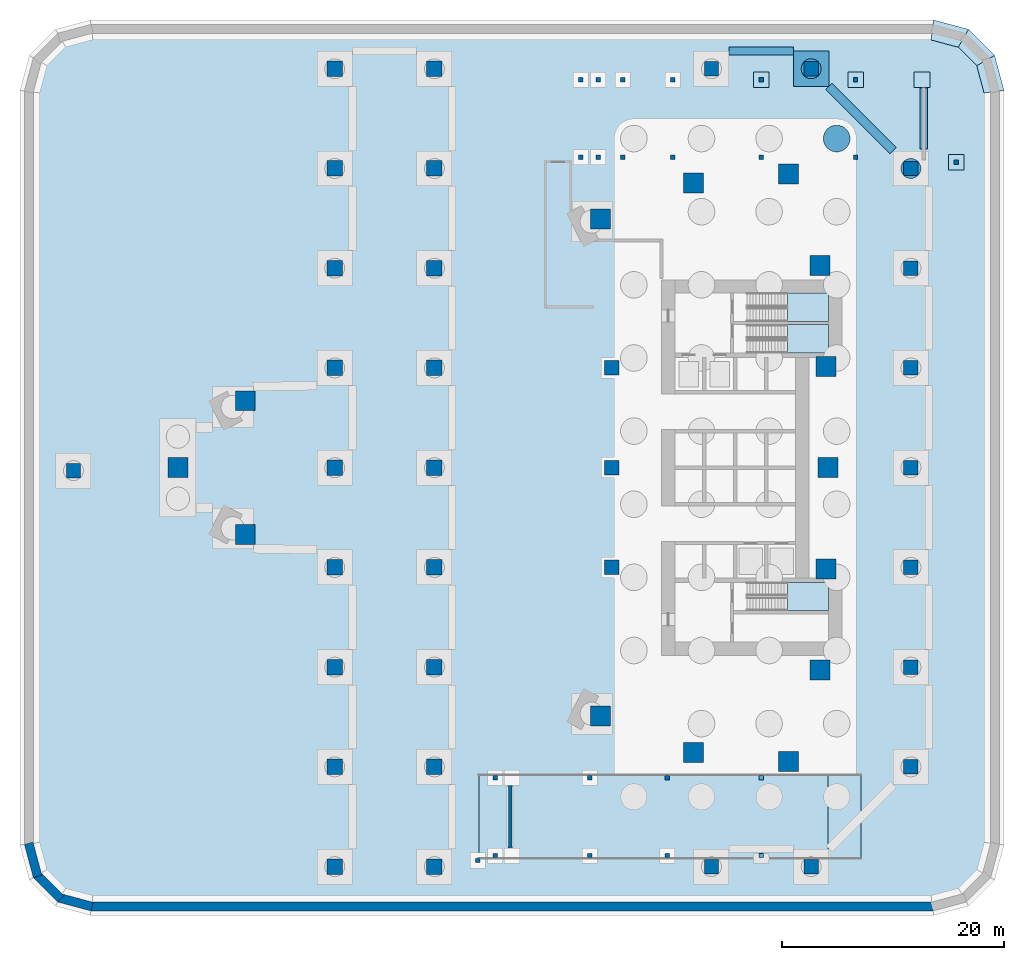
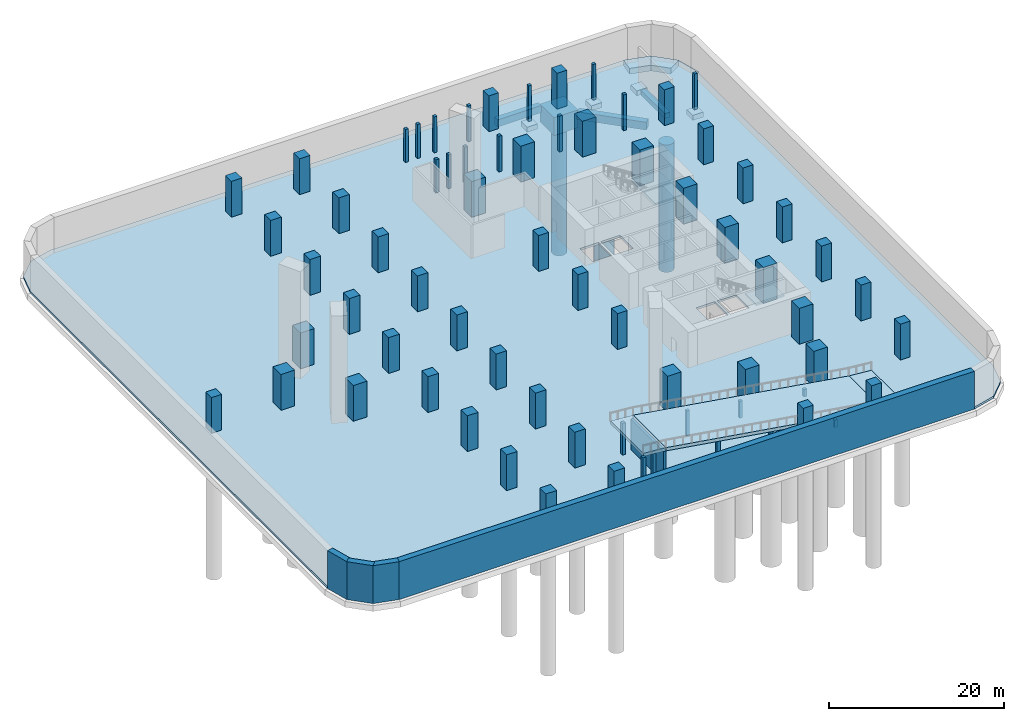
# One storey, part 3 of 11: 69 columns, 11 footings, 7 slabs, 5 walls, 3 piles, 3 elements without a shape of their own.
"""IFC4 building model written with IfcOpenShell, lengths in metres."""

from ifc_helpers import new_model, si_unit, direction, frame, frame_2d, origin, origin_2d, place, context, subcontext, project, spatial, polyline, rectangle, circle, outline, extrude, material, layer, layer_set, material_profile, profile_set, type_object, element, aggregate, save


model = new_model("IFC4")

# Units and contexts
model_context = context("Model", 3, precision=1e-05, world=origin(), true_north=direction((0.0, 1.0)))
body_context = subcontext(model_context, "Body", "Model", "MODEL_VIEW")
ifc_project = project(units=[si_unit("LENGTHUNIT", "METRE"), si_unit("AREAUNIT", "SQUARE_METRE"), si_unit("VOLUMEUNIT", "CUBIC_METRE"), si_unit("PLANEANGLEUNIT", "RADIAN"), si_unit("MASSUNIT", "GRAM", prefix="KILO")], contexts=[model_context])

# Site, building, storey
site_placement = place(None, origin())
site = spatial("IfcSite", under=ifc_project, at=site_placement, CompositionType="ELEMENT")
building_placement = place(site_placement, origin())
building = spatial("IfcBuilding", under=site, at=building_placement, Name="Ostrand Prow Hotel Tower", CompositionType="ELEMENT")
storey_placement = place(building_placement, frame((0.0, 0.0, -10.0)))
storey = spatial("IfcBuildingStorey", under=building, at=storey_placement, Name="B2", CompositionType="ELEMENT", Elevation=-10.0)

# Piles
ifc_material_1 = material(Name="Concrete C50/60", Category="concrete")
pile_type_1 = type_object("IfcPileType", Name="Bored caisson D1800", PredefinedType="BORED", material=ifc_material_1)
for number, where, z_axis, x_axis, name in (
    (1, (63.0, 36.0, -2.699951171875), (0.0, 0.0, -1.0), (1.0, 0.0, 0.0), "Caisson 025"),
    (2, (72.0, 27.0, -2.699951171875), (0.0, 0.0, -1.0), (1.0, 0.0, 0.0), "Caisson 029"),
):
    element("IfcPile", number, at=place(storey_placement, frame(where, z_axis=z_axis, x_axis=x_axis)), inside=storey, type_object=pile_type_1, Name=name, PredefinedType="BORED", context=body_context, shape_type="SweptSolid", body=[
        extrude(circle(Radius=0.89990234375, at=origin_2d()), origin(), (0.0, 0.0, 1.0), 17.800048828125),
    ])
ifc_material_2 = material(Name="Concrete C50/60", Category="concrete")
pile_type_2 = type_object("IfcPileType", Name="Bored caisson D2400", PredefinedType="BORED", material=ifc_material_2)
pile_placement = place(storey_placement, frame((65.300048828125, 29.699951171875, -3.699951171875), z_axis=(0.0, 0.0, -1.0), x_axis=(1.0, 0.0, 0.0)))
element("IfcPile", 3, at=pile_placement, inside=storey, type_object=pile_type_2, Name="Caisson 074", PredefinedType="BORED", context=body_context, shape_type="SweptSolid", body=[
    extrude(circle(Radius=1.199951171875, at=origin_2d()), origin(), (0.0, 0.0, 1.0), 16.800048828125),
])

# Footings
ifc_material_3 = material(Name="Concrete C40/50", Category="concrete")
footing_type_1 = type_object("IfcFootingType", Name="Ground tie beam 700x1000 C40/50", PredefinedType="FOOTING_BEAM", material=ifc_material_3)
footing_1_placement = place(storey_placement, frame((0.0, 0.0, -1.300048828125)))
element("IfcFooting", 4, at=footing_1_placement, inside=storey, type_object=footing_type_1, Name="Ground tie beam 20", PredefinedType="FOOTING_BEAM", context=body_context, shape_type="SweptSolid", body=[
    extrude(outline(polyline([(61.39990234375, 37.949951171875), (61.39990234375, 37.25), (55.60009765625, 37.25), (55.60009765625, 37.949951171875), (61.39990234375, 37.949951171875)])), origin(), (0.0, 0.0, 1.0), 1.0),
])
ifc_material_4 = material(Name="Concrete C40/50", Category="concrete")
footing_type_2 = type_object("IfcFootingType", Name="Ground tie beam 800x1100 C40/50", PredefinedType="FOOTING_BEAM", material=ifc_material_4)
footing_2_placement = place(storey_placement, frame((0.0, 0.0, -1.39990234375)))
element("IfcFooting", 5, at=footing_2_placement, inside=storey, type_object=footing_type_2, Name="Ground tie beam 28", PredefinedType="FOOTING_BEAM", context=body_context, shape_type="SweptSolid", body=[
    extrude(outline(polyline([(70.682861328125, 28.8828125), (70.1171875, 28.317138671875), (64.317138671875, 34.1171875), (64.8828125, 34.682861328125), (70.682861328125, 28.8828125)])), origin(), (0.0, 0.0, 1.0), 1.099853515625),
])
ifc_material_5 = material(Name="Concrete C40/50", Category="concrete")
ifc_layer_1 = layer(ifc_material_5, 0.699951171875)
ifc_layer_set_1 = layer_set([ifc_layer_1], Name="Concrete C40/50")
footing_type_3 = type_object("IfcFootingType", Name="Pad footing 1400x1400 C40/50", PredefinedType="PAD_FOOTING", material=ifc_layer_set_1)
footing_3_placement = place(storey_placement, frame((0.0, 0.0, -1.0)))
element("IfcFooting", 6, at=footing_3_placement, inside=storey, type_object=footing_type_3, Name="Ramp support pad footing", PredefinedType="PAD_FOOTING", context=body_context, shape_type="SweptSolid", body=[
    extrude(outline(polyline([(57.800048828125, 34.300048828125), (59.199951171875, 34.300048828125), (59.199951171875, 35.699951171875), (57.800048828125, 35.699951171875), (57.800048828125, 34.300048828125)])), origin(), (0.0, 0.0, 1.0), 0.699951171875),
])
footing_4_placement = place(storey_placement, frame((0.0, 0.0, -1.0)))
element("IfcFooting", 7, at=footing_4_placement, inside=storey, type_object=footing_type_3, Name="Ramp support pad footing", PredefinedType="PAD_FOOTING", context=body_context, shape_type="SweptSolid", body=[
    extrude(outline(polyline([(66.300048828125, 34.300048828125), (67.699951171875, 34.300048828125), (67.699951171875, 35.699951171875), (66.300048828125, 35.699951171875), (66.300048828125, 34.300048828125)])), origin(), (0.0, 0.0, 1.0), 0.699951171875),
])
footing_5_placement = place(storey_placement, frame((0.0, 0.0, -1.0)))
element("IfcFooting", 8, at=footing_5_placement, inside=storey, type_object=footing_type_3, Name="Ramp support pad footing", PredefinedType="PAD_FOOTING", context=body_context, shape_type="SweptSolid", body=[
    extrude(outline(polyline([(72.300048828125, 34.300048828125), (73.699951171875, 34.300048828125), (73.699951171875, 35.699951171875), (72.300048828125, 35.699951171875), (72.300048828125, 34.300048828125)])), origin(), (0.0, 0.0, 1.0), 0.699951171875),
])
footing_6_placement = place(storey_placement, frame((0.0, 0.0, -1.0)))
element("IfcFooting", 9, at=footing_6_placement, inside=storey, type_object=footing_type_3, Name="Ramp support pad footing", PredefinedType="PAD_FOOTING", context=body_context, shape_type="SweptSolid", body=[
    extrude(outline(polyline([(76.800048828125, 26.85009765625), (76.800048828125, 28.25), (75.39990234375, 28.25), (75.39990234375, 26.85009765625), (76.800048828125, 26.85009765625)])), origin(), (0.0, 0.0, 1.0), 0.699951171875),
])
ifc_material_6 = material(Name="Concrete C50/60", Category="concrete")
ifc_layer_2 = layer(ifc_material_6, 2.5)
ifc_layer_set_2 = layer_set([ifc_layer_2], Name="Concrete C50/60")
footing_type_4 = type_object("IfcFootingType", Name="Pile cap 2500 C50/60", PredefinedType="PILE_CAP", material=ifc_layer_set_2)
footing_7_placement = place(storey_placement, frame((0.0, 0.0, -2.800048828125)))
element("IfcFooting", 10, at=footing_7_placement, inside=storey, type_object=footing_type_4, Name="Pile cap CAP-IC-63N36", PredefinedType="PILE_CAP", context=body_context, shape_type="SweptSolid", body=[
    extrude(outline(polyline([(64.60009765625, 34.39990234375), (64.60009765625, 37.60009765625), (61.39990234375, 37.60009765625), (61.39990234375, 34.39990234375), (64.60009765625, 34.39990234375)])), origin(), (0.0, 0.0, 1.0), 2.5),
])
ifc_material_7 = material(Name="Concrete C40/50", Category="concrete")
ifc_layer_3 = layer(ifc_material_7, 0.699951171875)
ifc_layer_set_3 = layer_set([ifc_layer_3], Name="Concrete C40/50")
footing_type_5 = type_object("IfcFootingType", Name="Strip footing 700 C40/50", PredefinedType="STRIP_FOOTING", material=ifc_layer_set_3)
footing_8_placement = place(storey_placement, frame((0.0, 0.0, -1.0)))
element("IfcFooting", 11, at=footing_8_placement, inside=storey, type_object=footing_type_5, Name="Ramp support wall footing", PredefinedType="STRIP_FOOTING", context=body_context, shape_type="SweptSolid", body=[
    extrude(outline(polyline([(72.800048828125, 28.75), (73.5, 28.75), (73.5, 34.25), (72.800048828125, 34.25), (72.800048828125, 28.75)])), origin(), (0.0, 0.0, 1.0), 0.699951171875),
])
ifc_material_8 = material(Name="Concrete C40/50", Category="concrete")
ifc_layer_4 = layer(ifc_material_8, 0.800048828125)
ifc_layer_set_4 = layer_set([ifc_layer_4], Name="Concrete C40/50")
footing_type_6 = type_object("IfcFootingType", Name="Strip footing 800 C40/50", PredefinedType="STRIP_FOOTING", material=ifc_layer_set_4)
footing_9_placement = place(storey_placement, frame((0.0, 0.0, -1.10009765625)))
element("IfcFooting", 12, at=footing_9_placement, inside=storey, type_object=footing_type_6, Name="Strip footing 10 under retaining walls", PredefinedType="STRIP_FOOTING", context=body_context, shape_type="SweptSolid", body=[
    extrude(outline(polyline([(79.541259765625, 37.19921875), (79.55859375, 37.1689453125), (79.58251953125, 37.103515625), (80.386474609375, 34.103515625), (80.393310546875, 34.0517578125), (78.60009765625, 33.815673828125), (78.60009765625, 33.815673828125), (77.94091796875, 36.275390625), (79.541259765625, 37.19921875)])), origin(), (0.0, 0.0, 1.0), 0.800048828125),
])
footing_10_placement = place(storey_placement, frame((0.0, 0.0, -1.10009765625)))
element("IfcFooting", 13, at=footing_10_placement, inside=storey, type_object=footing_type_6, Name="Strip footing 11 under retaining walls", PredefinedType="STRIP_FOOTING", context=body_context, shape_type="SweptSolid", body=[
    extrude(outline(polyline([(77.19921875, 39.541259765625), (77.2294921875, 39.523681640625), (77.28271484375, 39.47900390625), (79.47900390625, 37.28271484375), (79.523681640625, 37.2294921875), (79.541259765625, 37.19921875), (77.94091796875, 36.275390625), (76.275390625, 37.94091796875), (77.19921875, 39.541259765625)])), origin(), (0.0, 0.0, 1.0), 0.800048828125),
])
footing_11_placement = place(storey_placement, frame((0.0, 0.0, -1.10009765625)))
element("IfcFooting", 14, at=footing_11_placement, inside=storey, type_object=footing_type_6, Name="Strip footing 12 under retaining walls", PredefinedType="STRIP_FOOTING", context=body_context, shape_type="SweptSolid", body=[
    extrude(outline(polyline([(74.0517578125, 40.393310546875), (74.103515625, 40.386474609375), (77.103515625, 39.58251953125), (77.1689453125, 39.55859375), (77.19921875, 39.541259765625), (76.275390625, 37.94091796875), (76.275390625, 37.94091796875), (73.815673828125, 38.60009765625), (74.0517578125, 40.393310546875)])), origin(), (0.0, 0.0, 1.0), 0.800048828125),
])

# Columns
ifc_material_9 = material(Name="Concrete C60/75", Category="concrete")
ifc_material_profile_1 = material_profile(ifc_material_9, rectangle(XDim=1.300048828125, YDim=1.300048828125, at=origin_2d()), Name="RC 1300x1300")
ifc_profile_set_1 = profile_set([ifc_material_profile_1], Name="Concrete C60/75")
column_type_1 = type_object("IfcColumnType", Name="Interior column 1300x1300 C60/75", PredefinedType="COLUMN", material=ifc_profile_set_1)
for number, where, z_axis, x_axis, name in (
    (15, (-3.573974609375, -0.262939453125, -0.300048828125), (0.0, 0.0, 1.0), (1.0, 0.0, 0.0), "Interior column W4S0"),
    (16, (45.0, -9.0, -0.300048828125), (0.0, 0.0, 1.0), (1.0, 0.0, 0.0), "Interior column 45S9"),
    (17, (45.0, 0.0, -0.300048828125), (0.0, 0.0, 1.0), (1.0, 0.0, 0.0), "Interior column 45C0"),
    (18, (45.0, 9.0, -0.300048828125), (0.0, 0.0, 1.0), (1.0, 0.0, 0.0), "Interior column 45N9"),
    (19, (54.0, -36.0, -0.300048828125), (0.0, 0.0, 1.0), (1.0, 0.0, 0.0), "Interior column 54S36"),
    (20, (54.0, 36.0, -0.300048828125), (0.0, 0.0, 1.0), (1.0, 0.0, 0.0), "Interior column 54N36"),
    (21, (63.0, -36.0, -0.300048828125), (0.0, 0.0, 1.0), (1.0, 0.0, 0.0), "Interior column 63S36"),
    (22, (63.0, 36.0, -0.300048828125), (0.0, 0.0, 1.0), (1.0, 0.0, 0.0), "Interior column 63N36"),
    (23, (72.0, -27.0, -0.300048828125), (0.0, 0.0, 1.0), (1.0, 0.0, 0.0), "Interior column 72S27"),
    (24, (72.0, -18.0, -0.300048828125), (0.0, 0.0, 1.0), (1.0, 0.0, 0.0), "Interior column 72S18"),
    (25, (72.0, -9.0, -0.300048828125), (0.0, 0.0, 1.0), (1.0, 0.0, 0.0), "Interior column 72S9"),
    (26, (72.0, 0.0, -0.300048828125), (0.0, 0.0, 1.0), (1.0, 0.0, 0.0), "Interior column 72C0"),
    (27, (72.0, 9.0, -0.300048828125), (0.0, 0.0, 1.0), (1.0, 0.0, 0.0), "Interior column 72N9"),
    (28, (72.0, 18.0, -0.300048828125), (0.0, 0.0, 1.0), (1.0, 0.0, 0.0), "Interior column 72N18"),
    (29, (72.0, 27.0, -0.300048828125), (0.0, 0.0, 1.0), (1.0, 0.0, 0.0), "Interior column 72N27"),
):
    element("IfcColumn", number, at=place(storey_placement, frame(where, z_axis=z_axis, x_axis=x_axis)), inside=storey, type_object=column_type_1, Name=name, PredefinedType="COLUMN", context=body_context, shape_type="SweptSolid", body=[
        extrude(rectangle(XDim=1.300048828125, YDim=1.300048828125, at=origin_2d()), origin(), (0.0, 0.0, 1.0), 5.300048828125),
    ])
ifc_material_10 = material(Name="Concrete C60/75", Category="concrete")
ifc_material_profile_2 = material_profile(ifc_material_10, rectangle(XDim=1.39990234375, YDim=1.39990234375, at=origin_2d()), Name="RC 1400x1400")
ifc_profile_set_2 = profile_set([ifc_material_profile_2], Name="Concrete C60/75")
column_type_2 = type_object("IfcColumnType", Name="Interior column 1400x1400 C60/75", PredefinedType="COLUMN", material=ifc_profile_set_2)
for number, where, z_axis, x_axis, name in (
    (30, (20.0, -36.0, -0.300048828125), (0.0, 0.0, 1.0), (1.0, 0.0, 0.0), "Interior column 20S36"),
    (31, (20.0, -27.0, -0.300048828125), (0.0, 0.0, 1.0), (1.0, 0.0, 0.0), "Interior column 20S27"),
    (32, (20.0, -18.0, -0.300048828125), (0.0, 0.0, 1.0), (1.0, 0.0, 0.0), "Interior column 20S18"),
    (33, (20.0, -9.0, -0.300048828125), (0.0, 0.0, 1.0), (1.0, 0.0, 0.0), "Interior column 20S9"),
    (34, (20.0, 0.0, -0.300048828125), (0.0, 0.0, 1.0), (1.0, 0.0, 0.0), "Interior column 20C0"),
    (35, (20.0, 9.0, -0.300048828125), (0.0, 0.0, 1.0), (1.0, 0.0, 0.0), "Interior column 20N9"),
    (36, (20.0, 18.0, -0.300048828125), (0.0, 0.0, 1.0), (1.0, 0.0, 0.0), "Interior column 20N18"),
    (37, (20.0, 27.0, -0.300048828125), (0.0, 0.0, 1.0), (1.0, 0.0, 0.0), "Interior column 20N27"),
    (38, (20.0, 36.0, -0.300048828125), (0.0, 0.0, 1.0), (1.0, 0.0, 0.0), "Interior column 20N36"),
    (39, (29.0, -36.0, -0.300048828125), (0.0, 0.0, 1.0), (1.0, 0.0, 0.0), "Interior column 29S36"),
    (40, (29.0, -27.0, -0.300048828125), (0.0, 0.0, 1.0), (1.0, 0.0, 0.0), "Interior column 29S27"),
    (41, (29.0, -18.0, -0.300048828125), (0.0, 0.0, 1.0), (1.0, 0.0, 0.0), "Interior column 29S18"),
    (42, (29.0, -9.0, -0.300048828125), (0.0, 0.0, 1.0), (1.0, 0.0, 0.0), "Interior column 29S9"),
    (43, (29.0, 0.0, -0.300048828125), (0.0, 0.0, 1.0), (1.0, 0.0, 0.0), "Interior column 29C0"),
    (44, (29.0, 9.0, -0.300048828125), (0.0, 0.0, 1.0), (1.0, 0.0, 0.0), "Interior column 29N9"),
    (45, (29.0, 18.0, -0.300048828125), (0.0, 0.0, 1.0), (1.0, 0.0, 0.0), "Interior column 29N18"),
    (46, (29.0, 27.0, -0.300048828125), (0.0, 0.0, 1.0), (1.0, 0.0, 0.0), "Interior column 29N27"),
    (47, (29.0, 36.0, -0.300048828125), (0.0, 0.0, 1.0), (1.0, 0.0, 0.0), "Interior column 29N36"),
):
    element("IfcColumn", number, at=place(storey_placement, frame(where, z_axis=z_axis, x_axis=x_axis)), inside=storey, type_object=column_type_2, Name=name, PredefinedType="COLUMN", context=body_context, shape_type="SweptSolid", body=[
        extrude(rectangle(XDim=1.39990234375, YDim=1.39990234375, at=origin_2d()), origin(), (0.0, 0.0, 1.0), 5.300048828125),
    ])
ifc_material_11 = material(Name="Concrete C40/50", Category="concrete")
ifc_material_profile_3 = material_profile(ifc_material_11, rectangle(XDim=0.39990234375, YDim=0.39990234375, at=origin_2d()), Name="Ramp support column 400")
ifc_profile_set_3 = profile_set([ifc_material_profile_3], Name="Concrete C40/50")
column_type_3 = type_object("IfcColumnType", Name="Ramp support column 400", PredefinedType="COLUMN", material=ifc_profile_set_3)
for number, where, z_axis, x_axis, name in (
    (48, (42.199951171875, 28.0, -0.300048828125), (0.0, 0.0, 1.0), (1.0, 0.0, 0.0), "Ramp support column"),
    (49, (42.199951171875, 35.0, -0.300048828125), (0.0, 0.0, 1.0), (1.0, 0.0, 0.0), "Ramp support column"),
):
    element("IfcColumn", number, at=place(storey_placement, frame(where, z_axis=z_axis, x_axis=x_axis)), inside=storey, type_object=column_type_3, Name=name, PredefinedType="COLUMN", context=body_context, shape_type="SweptSolid", body=[
        extrude(rectangle(XDim=0.39990234375, YDim=0.39990234375, at=origin_2d()), origin(), (0.0, 0.0, 1.0), 4.908447265625),
    ])
for number, where, z_axis, x_axis, name in (
    (50, (43.800048828125, 28.0, -0.300048828125), (0.0, 0.0, 1.0), (1.0, 0.0, 0.0), "Ramp support column"),
    (51, (43.800048828125, 35.0, -0.300048828125), (0.0, 0.0, 1.0), (1.0, 0.0, 0.0), "Ramp support column"),
):
    element("IfcColumn", number, at=place(storey_placement, frame(where, z_axis=z_axis, x_axis=x_axis)), inside=storey, type_object=column_type_3, Name=name, PredefinedType="COLUMN", context=body_context, shape_type="SweptSolid", body=[
        extrude(rectangle(XDim=0.39990234375, YDim=0.39990234375, at=origin_2d()), origin(), (0.0, 0.0, 1.0), 5.041748046875),
    ])
for number, where, z_axis, x_axis, name in (
    (52, (46.0, 28.0, -0.300048828125), (0.0, 0.0, 1.0), (1.0, 0.0, 0.0), "Ramp support column"),
    (53, (46.0, 35.0, -0.300048828125), (0.0, 0.0, 1.0), (1.0, 0.0, 0.0), "Ramp support column"),
):
    element("IfcColumn", number, at=place(storey_placement, frame(where, z_axis=z_axis, x_axis=x_axis)), inside=storey, type_object=column_type_3, Name=name, PredefinedType="COLUMN", context=body_context, shape_type="SweptSolid", body=[
        extrude(rectangle(XDim=0.39990234375, YDim=0.39990234375, at=origin_2d()), origin(), (0.0, 0.0, 1.0), 5.3369140625),
    ])
for number, where, z_axis, x_axis, name in (
    (54, (50.5, 28.0, -0.300048828125), (0.0, 0.0, 1.0), (1.0, 0.0, 0.0), "Ramp support column"),
    (55, (50.5, 35.0, -0.300048828125), (0.0, 0.0, 1.0), (1.0, 0.0, 0.0), "Ramp support column"),
    (56, (58.5, 28.0, -0.300048828125), (0.0, 0.0, 1.0), (1.0, 0.0, 0.0), "Ramp support column"),
    (57, (58.5, 35.0, -0.300048828125), (0.0, 0.0, 1.0), (1.0, 0.0, 0.0), "Ramp support column"),
    (58, (67.0, 28.0, -0.300048828125), (0.0, 0.0, 1.0), (1.0, 0.0, 0.0), "Ramp support column"),
    (59, (67.0, 35.0, -0.300048828125), (0.0, 0.0, 1.0), (1.0, 0.0, 0.0), "Ramp support column"),
):
    element("IfcColumn", number, at=place(storey_placement, frame(where, z_axis=z_axis, x_axis=x_axis)), inside=storey, type_object=column_type_3, Name=name, PredefinedType="COLUMN", context=body_context, shape_type="SweptSolid", body=[
        extrude(rectangle(XDim=0.39990234375, YDim=0.39990234375, at=origin_2d()), origin(), (0.0, 0.0, 1.0), 5.300048828125),
    ])
for number, where, z_axis, x_axis, name in (
    (60, (34.5, -35.0, -0.300048828125), (0.0, 0.0, 1.0), (1.0, 0.0, 0.0), "Ramp support column"),
    (61, (34.5, -28.0, -0.300048828125), (0.0, 0.0, 1.0), (1.0, 0.0, 0.0), "Ramp support column"),
):
    element("IfcColumn", number, at=place(storey_placement, frame(where, z_axis=z_axis, x_axis=x_axis)), inside=storey, type_object=column_type_3, Name=name, PredefinedType="COLUMN", context=body_context, shape_type="SweptSolid", body=[
        extrude(rectangle(XDim=0.39990234375, YDim=0.39990234375, at=origin_2d()), origin(), (0.0, 0.0, 1.0), 4.72509765625),
    ])
for number, where, z_axis, x_axis, name in (
    (62, (43.0, -35.0, -0.300048828125), (0.0, 0.0, 1.0), (1.0, 0.0, 0.0), "Ramp support column"),
    (63, (43.0, -28.0, -0.300048828125), (0.0, 0.0, 1.0), (1.0, 0.0, 0.0), "Ramp support column"),
):
    element("IfcColumn", number, at=place(storey_placement, frame(where, z_axis=z_axis, x_axis=x_axis)), inside=storey, type_object=column_type_3, Name=name, PredefinedType="COLUMN", context=body_context, shape_type="SweptSolid", body=[
        extrude(rectangle(XDim=0.39990234375, YDim=0.39990234375, at=origin_2d()), origin(), (0.0, 0.0, 1.0), 3.49462890625),
    ])
for number, where, z_axis, x_axis, name in (
    (64, (50.0, -35.0, -0.300048828125), (0.0, 0.0, 1.0), (1.0, 0.0, 0.0), "Ramp support column"),
    (65, (50.0, -28.0, -0.300048828125), (0.0, 0.0, 1.0), (1.0, 0.0, 0.0), "Ramp support column"),
):
    element("IfcColumn", number, at=place(storey_placement, frame(where, z_axis=z_axis, x_axis=x_axis)), inside=storey, type_object=column_type_3, Name=name, PredefinedType="COLUMN", context=body_context, shape_type="SweptSolid", body=[
        extrude(rectangle(XDim=0.39990234375, YDim=0.39990234375, at=origin_2d()), origin(), (0.0, 0.0, 1.0), 2.3896484375),
    ])
for number, where, z_axis, x_axis, name in (
    (66, (58.5, -35.0, -0.300048828125), (0.0, 0.0, 1.0), (1.0, 0.0, 0.0), "Ramp support column"),
    (67, (58.5, -28.0, -0.300048828125), (0.0, 0.0, 1.0), (1.0, 0.0, 0.0), "Ramp support column"),
):
    element("IfcColumn", number, at=place(storey_placement, frame(where, z_axis=z_axis, x_axis=x_axis)), inside=storey, type_object=column_type_3, Name=name, PredefinedType="COLUMN", context=body_context, shape_type="SweptSolid", body=[
        extrude(rectangle(XDim=0.39990234375, YDim=0.39990234375, at=origin_2d()), origin(), (0.0, 0.0, 1.0), 1.04736328125),
    ])
column_1_placement = place(storey_placement, frame((76.10009765625, 27.550048828125, -0.300048828125), z_axis=(0.0, 0.0, 1.0), x_axis=(1.0, 0.0, 0.0)))
element("IfcColumn", 68, at=column_1_placement, inside=storey, type_object=column_type_3, Name="Ramp support column", PredefinedType="COLUMN", context=body_context, shape_type="SweptSolid", body=[
    extrude(rectangle(XDim=0.39990234375, YDim=0.39990234375, at=origin_2d()), origin(), (0.0, 0.0, 1.0), 5.300048828125),
])
column_2_placement = place(storey_placement, frame((32.89990234375, -35.449951171875, -0.300048828125), z_axis=(0.0, 0.0, 1.0), x_axis=(1.0, 0.0, 0.0)))
element("IfcColumn", 69, at=column_2_placement, inside=storey, type_object=column_type_3, Name="Ramp support column", PredefinedType="COLUMN", context=body_context, shape_type="SweptSolid", body=[
    extrude(rectangle(XDim=0.39990234375, YDim=0.39990234375, at=origin_2d()), origin(), (0.0, 0.0, 1.0), 5.0),
])
ifc_material_12 = material(Name="Concrete C60/75", Category="concrete")
ifc_material_profile_4 = material_profile(ifc_material_12, rectangle(XDim=1.800048828125, YDim=1.800048828125, at=origin_2d()), Name="RC 1800x1800")
ifc_profile_set_4 = profile_set([ifc_material_profile_4], Name="Concrete C60/75")
column_type_4 = type_object("IfcColumnType", Name="Stone-faced mega column 1800x1800 C60/75", PredefinedType="COLUMN", material=ifc_profile_set_4)
for number, where, z_axis, x_axis, name in (
    (70, (5.848388671875, 0.0, -0.300048828125), (0.0, 0.0, 1.0), (1.0, 0.0, 0.0), "Mega column P"),
    (71, (11.926513671875, -6.0419921875, -0.300048828125), (0.0, 0.0, 1.0), (1.0, 0.0, 0.0), "Mega column S1"),
    (72, (43.997802734375, -22.427978515625, -0.300048828125), (0.0, 0.0, 1.0), (1.0, 0.0, 0.0), "Mega column S5"),
    (73, (52.3916015625, -25.710205078125, -0.300048828125), (0.0, 0.0, 1.0), (1.0, 0.0, 0.0), "Mega column S6"),
    (74, (60.966064453125, -26.49853515625, -0.300048828125), (0.0, 0.0, 1.0), (1.0, 0.0, 0.0), "Mega column SE"),
    (75, (63.8134765625, -18.248779296875, -0.300048828125), (0.0, 0.0, 1.0), (1.0, 0.0, 0.0), "Mega column B1"),
    (76, (64.328369140625, -9.130859375, -0.300048828125), (0.0, 0.0, 1.0), (1.0, 0.0, 0.0), "Mega column B2"),
    (77, (64.5, 0.0, -0.300048828125), (0.0, 0.0, 1.0), (1.0, 0.0, 0.0), "Mega column B3"),
    (78, (64.328369140625, 9.130859375, -0.300048828125), (0.0, 0.0, 1.0), (1.0, 0.0, 0.0), "Mega column B4"),
    (79, (63.8134765625, 18.248779296875, -0.300048828125), (0.0, 0.0, 1.0), (1.0, 0.0, 0.0), "Mega column B5"),
    (80, (60.966064453125, 26.49853515625, -0.300048828125), (0.0, 0.0, 1.0), (1.0, 0.0, 0.0), "Mega column NE"),
    (81, (52.3916015625, 25.710205078125, -0.300048828125), (0.0, 0.0, 1.0), (1.0, 0.0, 0.0), "Mega column N1"),
    (82, (43.997802734375, 22.427978515625, -0.300048828125), (0.0, 0.0, 1.0), (1.0, 0.0, 0.0), "Mega column N2"),
    (83, (11.926513671875, 6.0419921875, -0.300048828125), (0.0, 0.0, 1.0), (1.0, 0.0, 0.0), "Mega column N6"),
):
    element("IfcColumn", number, at=place(storey_placement, frame(where, z_axis=z_axis, x_axis=x_axis)), inside=storey, type_object=column_type_4, Name=name, PredefinedType="COLUMN", context=body_context, shape_type="SweptSolid", body=[
        extrude(rectangle(XDim=1.800048828125, YDim=1.800048828125, at=origin_2d()), origin(), (0.0, 0.0, 1.0), 5.300048828125),
    ])

# Slabs
ifc_material_13 = material(Name="Concrete C40/50", Category="concrete")
ifc_layer_5 = layer(ifc_material_13, 0.300048828125)
ifc_layer_set_5 = layer_set([ifc_layer_5], Name="Concrete C40/50")
slab_type_1 = type_object("IfcSlabType", Name="PT flat plate 300 C40/50", PredefinedType="FLOOR", material=ifc_layer_set_5)
slab_1_placement = place(storey_placement, frame((0.0, 0.0, -0.300048828125)))
element("IfcSlab", 84, at=slab_1_placement, inside=storey, type_object=slab_type_1, Name="Floor slab B2-1", PredefinedType="FLOOR", context=body_context, shape_type="SweptSolid", body=[
    extrude(outline(polyline([(74.0, -40.0), (77.0, -39.1962890625), (79.1962890625, -37.0), (80.0, -34.0), (80.0, 34.0), (79.1962890625, 37.0), (77.0, 39.1962890625), (74.0, 40.0), (-2.0, 40.0), (-5.0, 39.1962890625), (-7.1962890625, 37.0), (-8.0, 34.0), (-8.0, -34.0), (-7.1962890625, -37.0), (-5.0, -39.1962890625), (-2.0, -40.0), (74.0, -40.0)]), holes=[polyline([(50.699951171875, 6.949951171875), (53.199951171875, 6.949951171875), (53.199951171875, 9.949951171875), (50.699951171875, 9.949951171875), (50.699951171875, 6.949951171875)]), polyline([(53.5, 6.949951171875), (56.0, 6.949951171875), (56.0, 9.949951171875), (53.5, 9.949951171875), (53.5, 6.949951171875)]), polyline([(56.300048828125, -9.949951171875), (58.800048828125, -9.949951171875), (58.800048828125, -6.949951171875), (56.300048828125, -6.949951171875), (56.300048828125, -9.949951171875)]), polyline([(59.10009765625, -9.949951171875), (61.60009765625, -9.949951171875), (61.60009765625, -6.949951171875), (59.10009765625, -6.949951171875), (59.10009765625, -9.949951171875)]), polyline([(64.5, -35.25), (67.5, -35.25), (67.5, -27.75), (64.5, -27.75), (64.5, -35.25)])]), origin(), (0.0, 0.0, 1.0), 0.300048828125),
])
ifc_material_14 = material(Name="Concrete C40/50", Category="concrete")
ifc_layer_6 = layer(ifc_material_14, 0.449951171875)
ifc_layer_set_6 = layer_set([ifc_layer_6], Name="Concrete C40/50")
slab_type_2 = type_object("IfcSlabType", Name="Ramp slab 450 C40/50", PredefinedType="FLOOR", material=ifc_layer_set_6)
slab_2_placement = place(storey_placement, frame((33.0, -31.5, 5.0), z_axis=(0.0, 0.0, 1.0), x_axis=(1.0, 0.0, 0.0)))
element("IfcSlab", 85, at=slab_2_placement, inside=storey, type_object=slab_type_2, Name="Vehicle ramp 2 slab 1", PredefinedType="FLOOR", context=body_context, shape_type="SweptSolid", body=[
    extrude(outline(polyline([(0.0, 0.0), (1.5, -0.125), (3.0, -0.25), (3.0, -0.475830078125), (3.0, -0.70166015625), (1.5, -0.57666015625), (0.0, -0.45166015625), (0.0, -0.225830078125), (0.0, 0.0)])), frame((0.0, 3.75, 0.0), z_axis=(0.0, -1.0, 0.0), x_axis=(1.0, 0.0, 0.0)), (0.0, 0.0, 1.0), 7.5),
])
slab_3_placement = place(storey_placement, frame((36.0, -31.5, 4.75), z_axis=(0.0, 0.0, 1.0), x_axis=(1.0, 0.0, 0.0)))
element("IfcSlab", 86, at=slab_3_placement, inside=storey, type_object=slab_type_2, Name="Vehicle ramp 2 slab 2", PredefinedType="FLOOR", context=body_context, shape_type="SweptSolid", body=[
    extrude(outline(polyline([(0.0, 0.0), (14.25, -2.25), (28.5, -4.5), (28.5, -4.727783203125), (28.5, -4.95556640625), (14.25, -2.70556640625), (0.0, -0.45556640625), (0.0, -0.227783203125), (0.0, 0.0)])), frame((0.0, 3.75, 0.0), z_axis=(0.0, -1.0, 0.0), x_axis=(1.0, 0.0, 0.0)), (0.0, 0.0, 1.0), 7.5),
])
slab_4_placement = place(storey_placement, frame((64.5, -31.5, 0.25), z_axis=(0.0, 0.0, 1.0), x_axis=(1.0, 0.0, 0.0)))
element("IfcSlab", 87, at=slab_4_placement, inside=storey, type_object=slab_type_2, Name="Vehicle ramp 2 slab 3", PredefinedType="FLOOR", context=body_context, shape_type="SweptSolid", body=[
    extrude(outline(polyline([(0.0, 0.0), (1.5, -0.125), (3.0, -0.25), (3.0, -0.475830078125), (3.0, -0.70166015625), (1.5, -0.57666015625), (0.0, -0.45166015625), (0.0, -0.225830078125), (0.0, 0.0)])), frame((0.0, 3.75, 0.0), z_axis=(0.0, -1.0, 0.0), x_axis=(1.0, 0.0, 0.0)), (0.0, 0.0, 1.0), 7.5),
])

# Stair, slab
ifc_material_15 = material(Name="Concrete C40/50", Category="concrete")
stair_type = type_object("IfcStairType", Name="Exit stair 1200 lower zone", PredefinedType="HALF_TURN_STAIR", material=ifc_material_15)
stair_1_placement = place(storey_placement, origin())
stair_1 = element("IfcStair", 88, at=stair_1_placement, inside=storey, type_object=stair_type, Name="B2 ST1A", PredefinedType="HALF_TURN_STAIR")
ifc_material_16 = material(Name="Concrete C40/50", Category="concrete")
ifc_layer_7 = layer(ifc_material_16, 0.199951171875)
ifc_layer_set_7 = layer_set([ifc_layer_7], Name="Concrete C40/50")
slab_type_3 = type_object("IfcSlabType", Name="Stair landing 200 concrete", PredefinedType="LANDING", material=ifc_layer_set_7)
slab_5_placement = place(storey_placement, frame((0.0, 0.0, 2.300048828125)))
slab_5 = element("IfcSlab", 89, at=slab_5_placement, type_object=slab_type_3, Name="ST1A landing 1", PredefinedType="LANDING", context=body_context, shape_type="SweptSolid", body=[
    extrude(outline(polyline([(60.840087890625, 10.35009765625), (64.56005859375, 10.35009765625), (64.56005859375, 12.89990234375), (60.840087890625, 12.89990234375), (60.840087890625, 10.35009765625)])), origin(), (0.0, 0.0, 1.0), 0.199951171875),
])
aggregate(stair_1, [slab_5])

stair_2_placement = place(storey_placement, origin())
stair_2 = element("IfcStair", 90, at=stair_2_placement, inside=storey, type_object=stair_type, Name="B2 ST3A", PredefinedType="HALF_TURN_STAIR")
slab_6_placement = place(storey_placement, frame((0.0, 0.0, 2.300048828125)))
slab_6 = element("IfcSlab", 91, at=slab_6_placement, type_object=slab_type_3, Name="ST3A landing 1", PredefinedType="LANDING", context=body_context, shape_type="SweptSolid", body=[
    extrude(outline(polyline([(60.840087890625, 13.199951171875), (64.56005859375, 13.199951171875), (64.56005859375, 15.75), (60.840087890625, 15.75), (60.840087890625, 13.199951171875)])), origin(), (0.0, 0.0, 1.0), 0.199951171875),
])
aggregate(stair_2, [slab_6])

stair_3_placement = place(storey_placement, origin())
stair_3 = element("IfcStair", 92, at=stair_3_placement, inside=storey, type_object=stair_type, Name="B2 ST2A", PredefinedType="HALF_TURN_STAIR")
slab_7_placement = place(storey_placement, frame((0.0, 0.0, 2.300048828125)))
slab_7 = element("IfcSlab", 93, at=slab_7_placement, type_object=slab_type_3, Name="ST2A landing 1", PredefinedType="LANDING", context=body_context, shape_type="SweptSolid", body=[
    extrude(outline(polyline([(60.840087890625, -12.89990234375), (64.56005859375, -12.89990234375), (64.56005859375, -10.35009765625), (60.840087890625, -10.35009765625), (60.840087890625, -12.89990234375)])), origin(), (0.0, 0.0, 1.0), 0.199951171875),
])
aggregate(stair_3, [slab_7])

# Walls
ifc_material_17 = material(Name="Concrete C40/50", Category="concrete")
ifc_layer_8 = layer(ifc_material_17, 0.300048828125)
ifc_layer_set_8 = layer_set([ifc_layer_8], Name="Concrete C40/50")
wall_type_1 = type_object("IfcWallType", Name="Ramp support wall 300 C40/50", PredefinedType="SOLIDWALL", material=ifc_layer_set_8)
wall_1_placement = place(storey_placement, frame((35.85009765625, -35.25, -0.300048828125), z_axis=(0.0, 0.0, 1.0), x_axis=(0.0, 1.0, 0.0)))
element("IfcWall", 94, at=wall_1_placement, inside=storey, type_object=wall_type_1, Name="Ramp support wall", PredefinedType="SOLIDWALL", context=body_context, shape_type="SweptSolid", body=[
    extrude(rectangle(XDim=7.5, YDim=0.300048828125, at=frame_2d((3.75, 0.0))), origin(), (0.0, 0.0, 1.0), 4.594482421875),
])
ifc_material_18 = material(Name="Concrete C40/50", Category="concrete")
ifc_layer_9 = layer(ifc_material_18, 0.800048828125)
ifc_layer_set_9 = layer_set([ifc_layer_9], Name="Concrete C40/50")
wall_type_2 = type_object("IfcWallType", Name="Retaining wall 800 C40/50", PredefinedType="STANDARD", material=ifc_layer_set_9)
for number, where, z_axis, x_axis, name in (
    (95, (-7.613525390625, -33.896484375, -0.300048828125), (0.0, 0.0, 1.0), (0.258777996848, -0.965936824201, 0.0), "Retaining wall B2-13"),
    (96, (-6.913330078125, -36.71728515625, -0.300048828125), (0.0, 0.0, 1.0), (0.707106781187, -0.707106781187, 0.0), "Retaining wall B2-14"),
    (97, (-4.896484375, -38.809814453125, -0.300048828125), (0.0, 0.0, 1.0), (0.965936824201, -0.258777996848, 0.0), "Retaining wall B2-15"),
):
    element("IfcWall", number, at=place(storey_placement, frame(where, z_axis=z_axis, x_axis=x_axis)), inside=storey, type_object=wall_type_2, Name=name, PredefinedType="STANDARD", context=body_context, shape_type="SweptSolid", body=[
        extrude(rectangle(XDim=3.105712890625, YDim=0.800048828125, at=frame_2d((1.552734375, 0.0))), origin(), (0.0, 0.0, 1.0), 5.300048828125),
    ])
wall_2_placement = place(storey_placement, frame((-2.0, -39.60009765625, -0.300048828125), z_axis=(0.0, 0.0, 1.0), x_axis=(1.0, 0.0, 0.0)))
element("IfcWall", 98, at=wall_2_placement, inside=storey, type_object=wall_type_2, Name="Retaining wall B2-16", PredefinedType="STANDARD", context=body_context, shape_type="SweptSolid", body=[
    extrude(rectangle(XDim=76.0, YDim=0.800048828125, at=frame_2d((38.0, 0.0))), origin(), (0.0, 0.0, 1.0), 5.300048828125),
])

save(model, "model.ifc")
